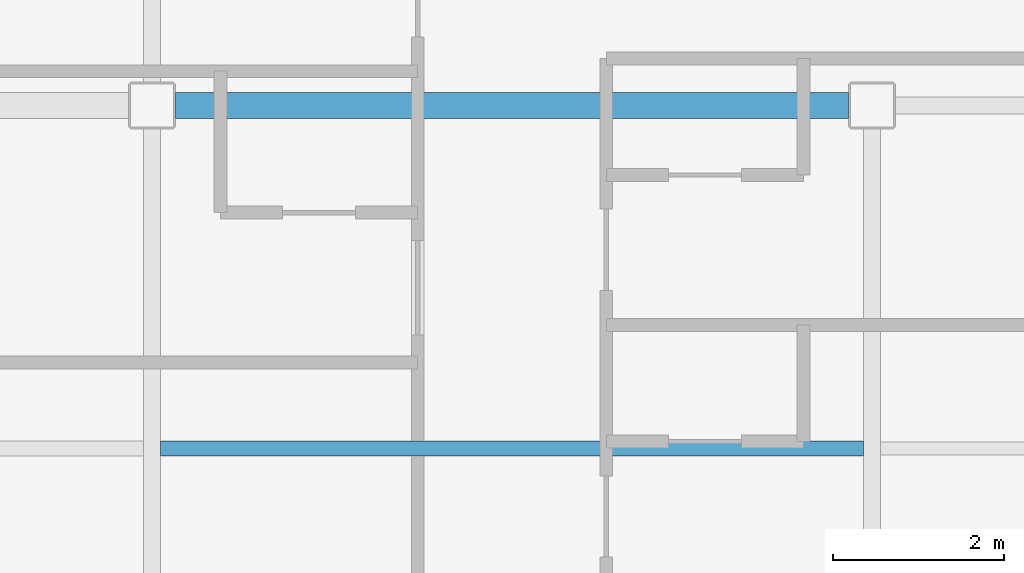
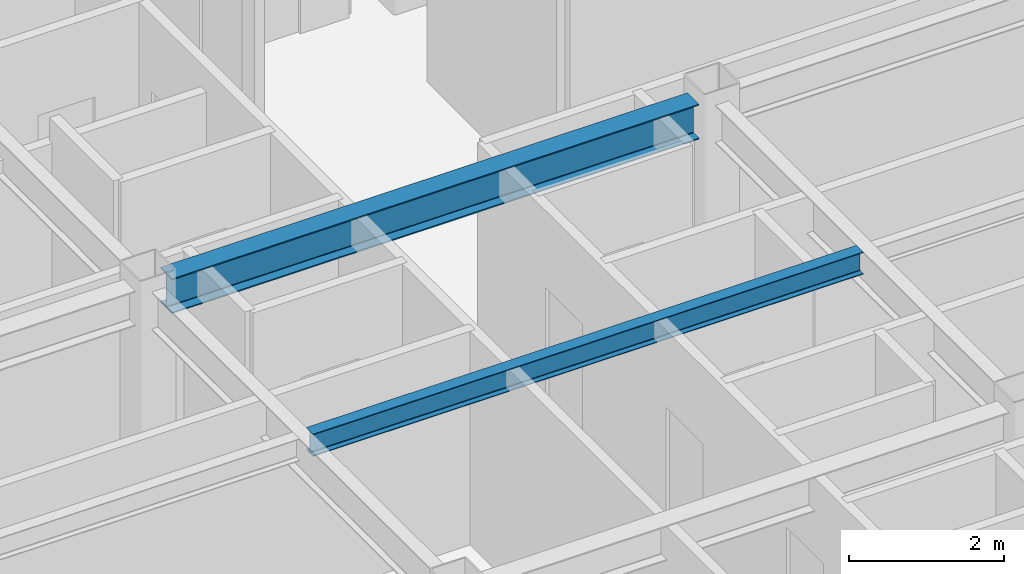
# One storey, part 6 of 36: 2 beams.
"""IFC4 building model written with IfcOpenShell, lengths in metres."""

from ifc_helpers import new_model, si_unit, direction, frame, origin, origin_2d, place, context, subcontext, project, spatial, i_section, extrude, material, material_profile, profile_set, type_object, element, save


model = new_model("IFC4")

# Units and contexts
model_context = context("Model", 3, precision=1e-05, world=origin(), true_north=direction((0.0, 1.0)))
body_context = subcontext(model_context, "Body", "Model", "MODEL_VIEW")
ifc_project = project(units=[si_unit("LENGTHUNIT", "METRE"), si_unit("AREAUNIT", "SQUARE_METRE"), si_unit("VOLUMEUNIT", "CUBIC_METRE"), si_unit("PLANEANGLEUNIT", "RADIAN"), si_unit("MASSUNIT", "GRAM", prefix="KILO")], contexts=[model_context])

# Site, building, storey
site_placement = place(None, origin())
site = spatial("IfcSite", under=ifc_project, at=site_placement, CompositionType="ELEMENT")
building_placement = place(site_placement, origin())
building = spatial("IfcBuilding", under=site, at=building_placement, Name="Kazehara Bluff Congress Hotel", CompositionType="ELEMENT")
storey_placement = place(building_placement, frame((0.0, 0.0, 28.199951171875)))
storey = spatial("IfcBuildingStorey", under=building, at=storey_placement, Name="L06", CompositionType="ELEMENT", Elevation=28.199951171875)

# Beams
ifc_material_1 = material(Name="Steel SN490B", Category="steel")
ifc_material_profile_1 = material_profile(ifc_material_1, i_section(OverallWidth=0.300048828125, OverallDepth=0.550048828125, WebThickness=0.010986328125, FlangeThickness=0.01806640625, FilletRadius=0.012939453125, at=origin_2d()))
ifc_profile_set_1 = profile_set([ifc_material_profile_1], Name="Steel SN490B")
beam_type_1 = type_object("IfcBeamType", Name="TP-G-12", PredefinedType="BEAM", material=ifc_profile_set_1)
beam_1_placement = place(storey_placement, frame((152.375, 16.0, 3.10498046875), z_axis=(1.0, 0.0, 0.0), x_axis=(0.0, 1.0, 0.0)))
element("IfcBeam", 1, at=beam_1_placement, inside=storey, type_object=beam_type_1, Name="L06 girder G-12 51", PredefinedType="BEAM", context=body_context, shape_type="SweptSolid", body=[
    extrude(i_section(OverallWidth=0.300048828125, OverallDepth=0.550048828125, WebThickness=0.010986328125, FlangeThickness=0.01806640625, FilletRadius=0.012939453125, at=origin_2d()), origin(), (0.0, 0.0, 1.0), 7.85009765625),
])
ifc_material_2 = material(Name="Steel SN400B", Category="steel")
ifc_material_profile_2 = material_profile(ifc_material_2, i_section(OverallWidth=0.175048828125, OverallDepth=0.35009765625, WebThickness=0.007080078125, FlangeThickness=0.010986328125, FilletRadius=0.012939453125, at=origin_2d()))
ifc_profile_set_2 = profile_set([ifc_material_profile_2], Name="Steel SN400B")
beam_type_2 = type_object("IfcBeamType", Name="TP-J-02", PredefinedType="JOIST", material=ifc_profile_set_2)
beam_2_placement = place(storey_placement, frame((152.199951171875, 12.0, 3.205078125), z_axis=(1.0, 0.0, 0.0), x_axis=(0.0, 1.0, 0.0)))
element("IfcBeam", 2, at=beam_2_placement, inside=storey, type_object=beam_type_2, Name="L06 secondary joist J-02 11", PredefinedType="JOIST", context=body_context, shape_type="SweptSolid", body=[
    extrude(i_section(OverallWidth=0.175048828125, OverallDepth=0.35009765625, WebThickness=0.007080078125, FlangeThickness=0.010986328125, FilletRadius=0.012939453125, at=origin_2d()), origin(), (0.0, 0.0, 1.0), 8.199951171875),
])

save(model, "model.ifc")
